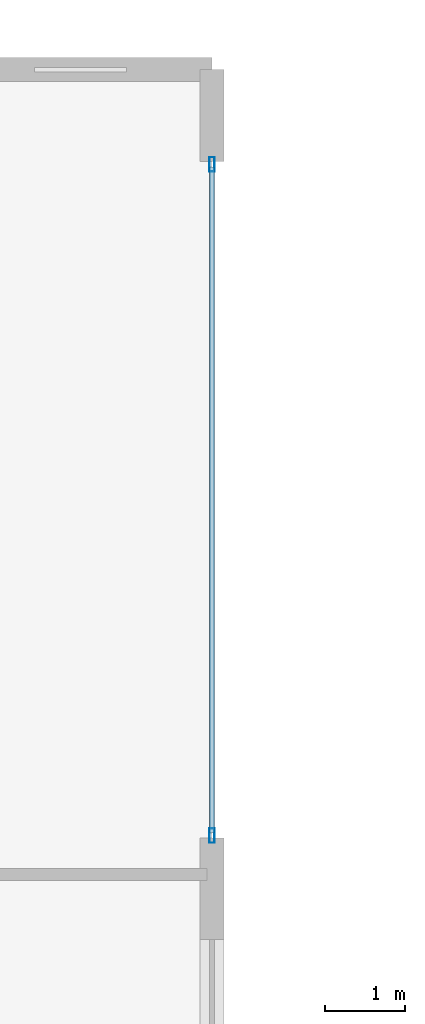
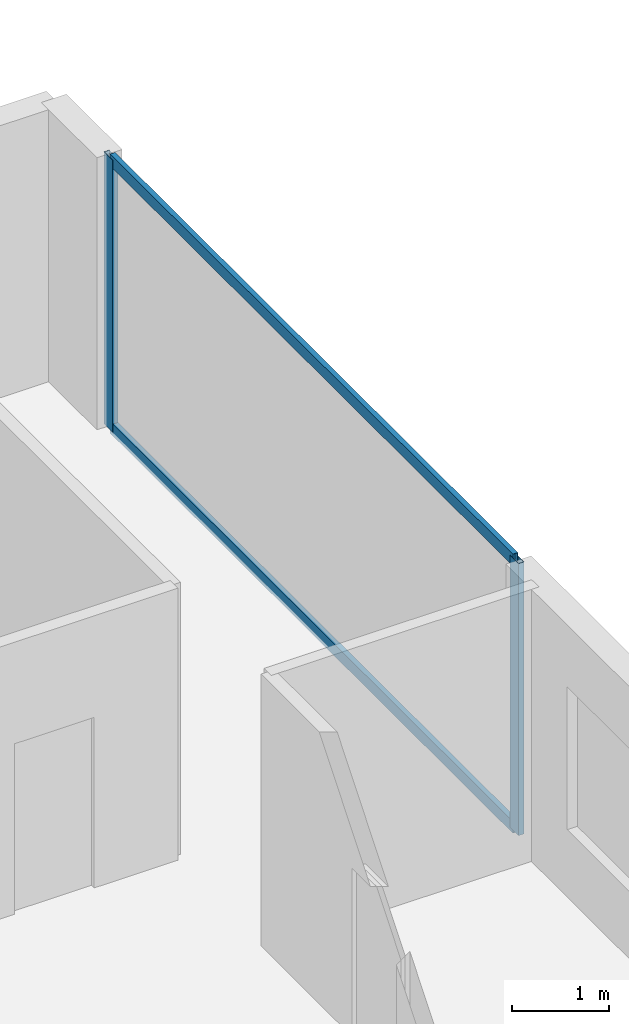
# One storey, part 19 of 29: 4 members, 1 element without a shape of its own.
"""IFC4 building model written with IfcOpenShell, lengths in metres."""

import ifcopenshell
import ifcopenshell.guid

model = None  # the IFC model being written
_history = None  # IfcOwnerHistory: only IFC2X3 demands one
_inside = {}  # id of a spatial element -> (the spatial element, [elements in it])
_under = {}  # id of a project, library or spatial element -> (it, [spatial elements below it])
_declared = {}  # id of a project -> (the project, [libraries it declares])
_typed = {}  # id of a type object -> (the type object, [elements of that type])
_made_of = {}  # id of a material, layer set ... -> (it, [elements and type objects made of it])


def new_model(schema):
    """Start an empty IFC model of exactly this schema.

    Asked for "IFC4X3", IfcOpenShell would pick the latest addendum, in which some entities
    have other attributes; the version numbers below select the first issue.
    IFC2X3 requires an IfcOwnerHistory on every rooted entity: one is made here for all.
    """
    global model, _history
    if schema == "IFC4X3":
        model = ifcopenshell.file(schema_version=(4, 3, 0, 0))
    else:
        model = ifcopenshell.file(schema=schema)
    _inside.clear()
    _under.clear()
    _declared.clear()
    _typed.clear()
    _made_of.clear()
    _history = None
    if model.schema == "IFC2X3":
        org = make("IfcOrganization", Name="unknown")
        user = make(
            "IfcPersonAndOrganization",
            ThePerson=make("IfcPerson", FamilyName="unknown"),
            TheOrganization=org,
        )
        app = make(
            "IfcApplication",
            ApplicationDeveloper=org,
            Version="unknown",
            ApplicationFullName="unknown",
            ApplicationIdentifier="unknown",
        )
        _history = make(
            "IfcOwnerHistory",
            OwningUser=user,
            OwningApplication=app,
            ChangeAction="ADDED",
            CreationDate=0,
        )
    return model


def make(cls, **values):
    """One entity of the class cls with the attributes given. An attribute that is None is left unset."""
    return model.create_entity(
        cls, **{name: value for name, value in values.items() if value is not None}
    )


def rooted(cls, **values):
    """An entity with a GlobalId (a new one), such as an element, a storey or a relation."""
    return make(cls, GlobalId=ifcopenshell.guid.new(), OwnerHistory=_history, **values)


def si_unit(unit_type, name, prefix=None):
    """IfcSIUnit, for example si_unit("LENGTHUNIT", "METRE", prefix="MILLI")."""
    return make("IfcSIUnit", UnitType=unit_type, Prefix=prefix, Name=name)


def assignment(units):
    """IfcUnitAssignment: the units of a project."""
    return None if units is None else make("IfcUnitAssignment", Units=units)


def point(xyz):
    """IfcCartesianPoint."""
    return None if xyz is None else make("IfcCartesianPoint", Coordinates=xyz)


def direction(xyz):
    """IfcDirection."""
    return None if xyz is None else make("IfcDirection", DirectionRatios=xyz)


def frame(location, z_axis=None, x_axis=None):
    """IfcAxis2Placement3D, a coordinate frame: its origin and axes. An axis left out is left unset."""
    return make(
        "IfcAxis2Placement3D",
        Location=point(location),
        Axis=direction(z_axis),
        RefDirection=direction(x_axis),
    )


def frame_2d(location, x_axis=None):
    """IfcAxis2Placement2D, a coordinate frame in the plane: its origin and x axis."""
    return make(
        "IfcAxis2Placement2D", Location=point(location), RefDirection=direction(x_axis)
    )


def origin():
    """The frame at (0, 0, 0) with its axes left unset."""
    return frame((0.0, 0.0, 0.0))


def origin_2d():
    """The frame at (0, 0) in the plane with its x axis left unset."""
    return frame_2d((0.0, 0.0))


def place(relative_to, where):
    """IfcLocalPlacement: puts the frame where relative to a parent placement (None: the world)."""
    return make(
        "IfcLocalPlacement", PlacementRelTo=relative_to, RelativePlacement=where
    )


def context(
    kind, dimensions, precision=None, world=None, true_north=None, identifier=None
):
    """IfcGeometricRepresentationContext, for example the 3D "Model" context."""
    return make(
        "IfcGeometricRepresentationContext",
        ContextIdentifier=identifier,
        ContextType=kind,
        CoordinateSpaceDimension=dimensions,
        Precision=precision,
        WorldCoordinateSystem=world,
        TrueNorth=true_north,
    )


def subcontext(parent, identifier, kind, view, scale=None):
    """IfcGeometricRepresentationSubContext, for example "Body" below "Model"."""
    return make(
        "IfcGeometricRepresentationSubContext",
        ContextIdentifier=identifier,
        ContextType=kind,
        ParentContext=parent,
        TargetScale=scale,
        TargetView=view,
    )


def project(units=None, contexts=None):
    """IfcProject with its units and contexts."""
    return rooted(
        "IfcProject",
        Name="project",
        RepresentationContexts=contexts,
        UnitsInContext=assignment(units),
    )


def spatial(cls, under=None, at=None, **own):
    """A site, building, storey or space (cls), placed at a placement, below another one or the project."""
    s = rooted(cls, ObjectPlacement=at, **own)
    if under is not None:
        _under.setdefault(under.id(), (under, []))[1].append(s)
    return s


def profile(cls, at=None, kind="AREA", **sizes):
    """A parametric profile (cls). Its sizes go by their IFC names, for example OverallWidth=200.0."""
    return make(cls, ProfileType=kind, Position=at, **sizes)


def hollow_rectangle(**sizes):
    """IfcRectangleHollowProfileDef."""
    return profile("IfcRectangleHollowProfileDef", **sizes)


def extrude(swept, where, along, depth):
    """IfcExtrudedAreaSolid: the profile swept, set in the frame where, extruded along a direction by depth."""
    return make(
        "IfcExtrudedAreaSolid",
        SweptArea=swept,
        Position=where,
        ExtrudedDirection=direction(along),
        Depth=depth,
    )


def shape(context_of_items, identifier, shape_type, items):
    """IfcShapeRepresentation: the items that make up one representation, for example the "Body"."""
    return make(
        "IfcShapeRepresentation",
        ContextOfItems=context_of_items,
        RepresentationIdentifier=identifier,
        RepresentationType=shape_type,
        Items=items,
    )


def material(Name=None, Category=None):
    """IfcMaterial."""
    return make("IfcMaterial", Name=Name, Category=Category)


def layer(
    of_material, thickness, ventilated=None, Name=None, Category=None, Priority=None
):
    """IfcMaterialLayer: one layer of a wall or slab, of a material (None: an air gap)."""
    return make(
        "IfcMaterialLayer",
        Material=of_material,
        LayerThickness=thickness,
        IsVentilated=ventilated,
        Name=Name,
        Category=Category,
        Priority=Priority,
    )


def layer_set(layers, Name=None):
    """IfcMaterialLayerSet."""
    return make("IfcMaterialLayerSet", MaterialLayers=layers, LayerSetName=Name)


def material_profile(
    of_material, cross_section, Name=None, Category=None, Priority=None
):
    """IfcMaterialProfile: a cross section and its material."""
    return make(
        "IfcMaterialProfile",
        Name=Name,
        Material=of_material,
        Profile=cross_section,
        Priority=Priority,
        Category=Category,
    )


def profile_set(profiles, Name=None, composite=None):
    """IfcMaterialProfileSet."""
    return make(
        "IfcMaterialProfileSet",
        Name=Name,
        MaterialProfiles=profiles,
        CompositeProfile=composite,
    )


def made_of(thing, what):
    """Note that an element or type object is made of a material, layer set ...; save() writes the relation."""
    if what is not None:
        _made_of.setdefault(what.id(), (what, []))[1].append(thing)
    return thing


def type_object(cls, material=None, **own):
    """A type object (cls), such as IfcWallType, which elements share."""
    return made_of(rooted(cls, **own), material)


def element(
    cls,
    number,
    at=None,
    inside=None,
    cuts=None,
    type_object=None,
    material=None,
    context=None,
    identifier="Body",
    shape_type=None,
    held_by="IfcProductDefinitionShape",
    body=None,
    shapes=None,
    **own,
):
    """One element of the class cls, such as IfcWall. Its Tag is "e" and its number.

    at: its placement. inside: the storey or other place that contains it. cuts: it is an
    opening in that element (IfcRelVoidsElement). A single representation is given by context,
    identifier, shape_type and body (its items); several are given by shapes. held_by: the class
    of the entity that holds the representations. save() writes the other relations.
    """
    e = rooted(cls, Tag="e%d" % number, ObjectPlacement=at, **own)
    if body is not None:
        shapes = [shape(context, identifier, shape_type, body)]
    if shapes is not None:
        e.Representation = make(held_by, Representations=shapes)
    if inside is not None:
        _inside.setdefault(inside.id(), (inside, []))[1].append(e)
    if cuts is not None:
        rooted(
            "IfcRelVoidsElement", RelatingBuildingElement=cuts, RelatedOpeningElement=e
        )
    if type_object is not None:
        _typed.setdefault(type_object.id(), (type_object, []))[1].append(e)
    return made_of(e, material)


def aggregate(whole, parts):
    """IfcRelAggregates: a whole, such as a stair, and the parts it consists of."""
    return rooted("IfcRelAggregates", RelatingObject=whole, RelatedObjects=parts)


def save(model, path):
    """Write the relations noted so far, then the file.

    IfcRelAggregates (storeys below a building ...), IfcRelContainedInSpatialStructure (elements
    in a storey), IfcRelDefinesByType, IfcRelAssociatesMaterial and IfcRelDeclares: one each for
    every whole, place, type object, material and project.
    """
    for whole, parts in _under.values():
        aggregate(whole, parts)
    for where, things in _inside.values():
        rooted(
            "IfcRelContainedInSpatialStructure",
            RelatedElements=things,
            RelatingStructure=where,
        )
    for kind, things in _typed.values():
        rooted("IfcRelDefinesByType", RelatedObjects=things, RelatingType=kind)
    for what, things in _made_of.values():
        rooted("IfcRelAssociatesMaterial", RelatedObjects=things, RelatingMaterial=what)
    for by, libraries in _declared.values():
        rooted("IfcRelDeclares", RelatingContext=by, RelatedDefinitions=libraries)
    model.write(path)


model = new_model("IFC4")

# Units and contexts
model_context = context("Model", 3, precision=1e-05, world=origin(), true_north=direction((0.0, 1.0)))
body_context = subcontext(model_context, "Body", "Model", "MODEL_VIEW")
ifc_project = project(units=[si_unit("LENGTHUNIT", "METRE"), si_unit("AREAUNIT", "SQUARE_METRE"), si_unit("VOLUMEUNIT", "CUBIC_METRE"), si_unit("PLANEANGLEUNIT", "RADIAN"), si_unit("MASSUNIT", "GRAM", prefix="KILO")], contexts=[model_context])

# Site, building, storey
site_placement = place(None, origin())
site = spatial("IfcSite", under=ifc_project, at=site_placement, CompositionType="ELEMENT")
building_placement = place(site_placement, origin())
building = spatial("IfcBuilding", under=site, at=building_placement, Name="Zuhayl Quay Hotel", CompositionType="ELEMENT")
storey_placement = place(building_placement, frame((0.0, 0.0, 150.39990234375)))
storey = spatial("IfcBuildingStorey", under=building, at=storey_placement, Name="L38", CompositionType="ELEMENT", Elevation=150.39990234375)

# Curtain wall, members
ifc_material_1 = material(Name="Anodised Aluminium 6063-T6", Category="aluminium")
ifc_layer = layer(ifc_material_1, 0.179931640625, Name="Anodised Aluminium 6063-T6", Category="aluminium")
ifc_layer_set = layer_set([ifc_layer], Name="Anodised Aluminium 6063-T6")
curtain_wall_type = type_object("IfcCurtainWallType", Name="CW_SYS_Z2", PredefinedType="USERDEFINED", material=ifc_layer_set)
curtain_wall_placement = place(storey_placement, origin())
curtain_wall = element("IfcCurtainWall", 1, at=curtain_wall_placement, inside=storey, type_object=curtain_wall_type, Name="L38 Curtain Wall ENV_L38_E11_CW1", ObjectType="UNITISED CURTAIN WALL", PredefinedType="USERDEFINED")
ifc_material_2 = material(Name="Black-anodised aluminium 6063-T6", Category="aluminium")
ifc_material_profile_1 = material_profile(ifc_material_2, hollow_rectangle(XDim=0.06494140625, YDim=0.179931640625, WallThickness=0.00341796875, at=origin_2d()), Name="ALU180X65")
ifc_profile_set_1 = profile_set([ifc_material_profile_1], Name="Black-anodised aluminium 6063-T6")
member_type_1 = type_object("IfcMemberType", Name="MB_CW_MUL_180", PredefinedType="MULLION", material=ifc_profile_set_1)
member_1_placement = place(storey_placement, frame((23.89990234375, 23.717529296875, 0.0), z_axis=(0.0, 0.0, 1.0), x_axis=(1.0, 0.0, 0.0)))
member_1 = element("IfcMember", 2, at=member_1_placement, type_object=member_type_1, Name="CW-Z2 mullion 1", PredefinedType="MULLION", context=body_context, shape_type="SweptSolid", body=[
    extrude(hollow_rectangle(XDim=0.06494140625, YDim=0.179931640625, WallThickness=0.00341796875, at=origin_2d()), origin(), (0.0, 0.0, 1.0), 3.43017578125),
])
member_2_placement = place(storey_placement, frame((23.89990234375, 15.33251953125, 0.0), z_axis=(0.0, 0.0, 1.0), x_axis=(1.0, 0.0, 0.0)))
member_2 = element("IfcMember", 3, at=member_2_placement, type_object=member_type_1, Name="CW-Z2 mullion 2", PredefinedType="MULLION", context=body_context, shape_type="SweptSolid", body=[
    extrude(hollow_rectangle(XDim=0.06494140625, YDim=0.179931640625, WallThickness=0.00341796875, at=origin_2d()), origin(), (0.0, 0.0, 1.0), 3.43017578125),
])
ifc_material_profile_2 = material_profile(ifc_material_2, hollow_rectangle(XDim=0.06005859375, YDim=0.14990234375, WallThickness=0.00341796875, at=origin_2d()), Name="ALU150X60")
ifc_profile_set_2 = profile_set([ifc_material_profile_2], Name="Black-anodised aluminium 6063-T6")
member_type_2 = type_object("IfcMemberType", Name="MB_CW_TRN_150", PredefinedType="USERDEFINED", material=ifc_profile_set_2)
member_3_placement = place(storey_placement, frame((23.89990234375, 23.68505859375, 0.030029296875), z_axis=(0.0, -1.0, 0.0), x_axis=(1.0, 0.0, 0.0)))
member_3 = element("IfcMember", 4, at=member_3_placement, type_object=member_type_2, Name="CW-Z2 transom 1.1", ObjectType="TRANSOM", PredefinedType="USERDEFINED", context=body_context, shape_type="SweptSolid", body=[
    extrude(hollow_rectangle(XDim=0.06005859375, YDim=0.14990234375, WallThickness=0.00341796875, at=origin_2d()), origin(), (0.0, 0.0, 1.0), 8.320068359375),
])
member_4_placement = place(storey_placement, frame((23.89990234375, 23.68505859375, 3.400146484375), z_axis=(0.0, -1.0, 0.0), x_axis=(1.0, 0.0, 0.0)))
member_4 = element("IfcMember", 5, at=member_4_placement, type_object=member_type_2, Name="CW-Z2 transom 1.2", ObjectType="TRANSOM", PredefinedType="USERDEFINED", context=body_context, shape_type="SweptSolid", body=[
    extrude(hollow_rectangle(XDim=0.06005859375, YDim=0.14990234375, WallThickness=0.00341796875, at=origin_2d()), origin(), (0.0, 0.0, 1.0), 8.320068359375),
])
aggregate(curtain_wall, [member_1, member_2, member_3, member_4])

save(model, "model.ifc")
